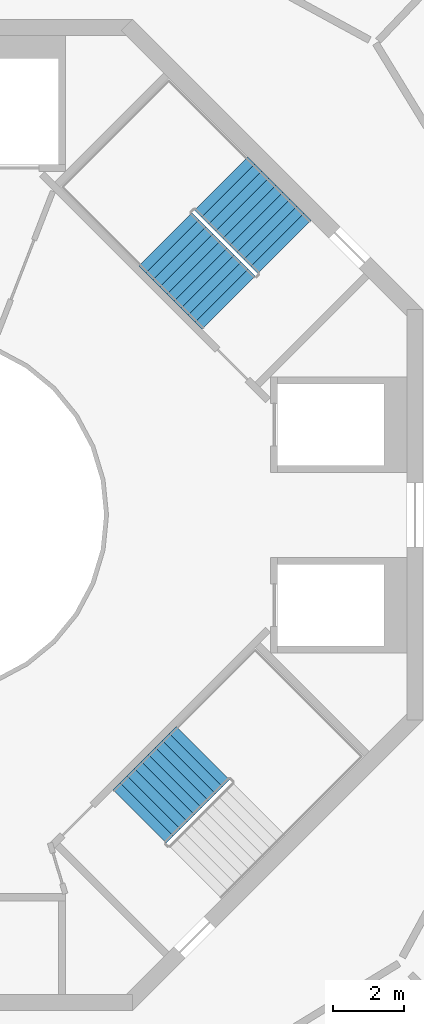
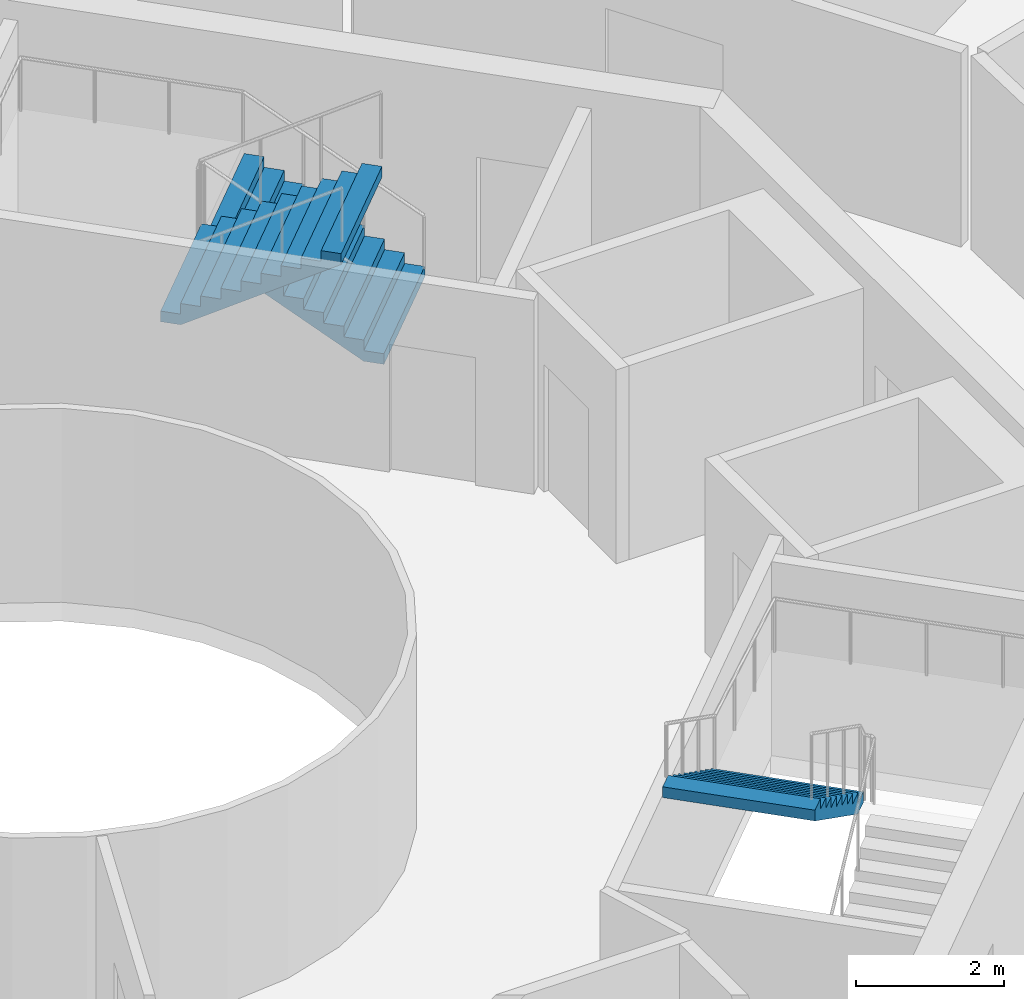
# One storey, part 25 of 26: 3 stair flights, 2 elements without a shape of their own.
"""IFC4 building model written with IfcOpenShell, lengths in metres."""

from ifc_helpers import new_model, si_unit, direction, frame, origin, place, context, subcontext, project, spatial, triangles, material, type_object, element, aggregate, save


model = new_model("IFC4")

# Units and contexts
model_context = context("Model", 3, precision=1e-05, world=origin(), true_north=direction((0.0, 1.0)))
body_context = subcontext(model_context, "Body", "Model", "MODEL_VIEW")
ifc_project = project(units=[si_unit("LENGTHUNIT", "METRE"), si_unit("AREAUNIT", "SQUARE_METRE"), si_unit("VOLUMEUNIT", "CUBIC_METRE"), si_unit("PLANEANGLEUNIT", "RADIAN"), si_unit("MASSUNIT", "GRAM", prefix="KILO")], contexts=[model_context])

# Site, building, storey
site_placement = place(None, origin())
site = spatial("IfcSite", under=ifc_project, at=site_placement, CompositionType="ELEMENT")
building_placement = place(site_placement, origin())
building = spatial("IfcBuilding", under=site, at=building_placement, Name="Verdalira Terraces Hotel", CompositionType="ELEMENT")
storey_placement = place(building_placement, frame((0.0, 0.0, 284.5)))
storey = spatial("IfcBuildingStorey", under=building, at=storey_placement, Name="L70", CompositionType="ELEMENT", Elevation=284.5)

# Stair, stair flights
ifc_material_1 = material(Name="Concrete C40", Category="concrete")
stair_type = type_object("IfcStairType", Name="Core stair 20 risers 2125 mm wide", PredefinedType="HALF_TURN_STAIR", material=ifc_material_1)
stair_1_placement = place(storey_placement, origin())
stair_1 = element("IfcStair", 1, at=stair_1_placement, inside=storey, type_object=stair_type, Name="L70 Exit stair ST1", PredefinedType="HALF_TURN_STAIR")
ifc_material_2 = material(Name="Concrete C40", Category="concrete")
stair_flight_type = type_object("IfcStairFlightType", Name="Core stair flight 20 risers 2125 mm wide", PredefinedType="STRAIGHT", material=ifc_material_2)
stair_flight_1_placement = place(storey_placement, frame((10.085205, 7.574951, 0.0), z_axis=(0.0, 0.0, 1.0), x_axis=(-0.707106781, 0.707106781, 0.0)))
stair_flight_1 = element("IfcStairFlight", 2, at=stair_flight_1_placement, type_object=stair_flight_type, Name="ST1 flight 1", NumberOfRisers=10, NumberOfTreads=9, PredefinedType="STRAIGHT", RiserHeight=0.175, TreadLength=0.28, context=body_context, shape_type="Tessellation", body=[
    triangles([(0.0, 1.0625, 0.0), (0.282715, 1.0625, 0.0), (2.52002, 1.0625, 1.398193), (0.0, -1.0625, 0.0), (0.282715, -1.0625, 0.0), (2.52002, -1.0625, 1.398193), (2.52002, 1.0625, 1.574951), (2.23999, 1.0625, 1.574951), (2.52002, -1.0625, 1.574951), (2.23999, -1.0625, 1.574951), (2.23999, 1.0625, 1.399902), (2.23999, -1.0625, 1.399902), (1.959961, 1.0625, 1.399902), (1.959961, -1.0625, 1.399902), (1.959961, 1.0625, 1.225098), (1.959961, -1.0625, 1.225098), (1.679932, 1.0625, 1.225098), (1.679932, 1.0625, 1.050049), (1.679932, -1.0625, 1.225098), (1.679932, -1.0625, 1.050049), (1.399902, 1.0625, 1.050049), (1.399902, 1.0625, 0.875), (1.399902, -1.0625, 1.050049), (1.399902, -1.0625, 0.875), (1.120117, 1.0625, 0.875), (1.120117, 1.0625, 0.699951), (1.120117, -1.0625, 0.875), (1.120117, -1.0625, 0.699951), (0.840088, 1.0625, 0.699951), (0.840088, 1.0625, 0.524902), (0.840088, -1.0625, 0.699951), (0.840088, -1.0625, 0.524902), (0.560059, 1.0625, 0.524902), (0.560059, 1.0625, 0.350098), (0.560059, -1.0625, 0.524902), (0.560059, -1.0625, 0.350098), (0.280029, 1.0625, 0.350098), (0.280029, 1.0625, 0.175049), (0.280029, -1.0625, 0.350098), (0.280029, -1.0625, 0.175049), (0.0, 1.0625, 0.175049), (0.0, -1.0625, 0.175049), (0.0, -0.996094, 0.0), (0.0, -0.996094, 0.175049), (0.0, -0.929688, 0.0), (0.0, -0.929688, 0.175049), (0.0, -0.863281, 0.0), (0.0, -0.863281, 0.175049), (0.0, -0.796875, 0.0), (0.0, -0.796875, 0.175049), (0.0, -0.730469, 0.0), (0.0, -0.730469, 0.175049), (0.0, -0.664062, 0.0), (0.0, -0.664062, 0.175049), (0.0, -0.597656, 0.0), (0.0, -0.597656, 0.175049), (0.0, -0.53125, 0.0), (0.0, -0.53125, 0.175049), (0.0, -0.464844, 0.0), (0.0, -0.464844, 0.175049), (0.0, -0.398438, 0.0), (0.0, -0.398438, 0.175049), (0.0, -0.332031, 0.0), (0.0, -0.332031, 0.175049), (0.0, -0.265625, 0.0), (0.0, -0.265625, 0.175049), (0.0, -0.199219, 0.0), (0.0, -0.199219, 0.175049), (0.0, -0.132812, 0.0), (0.0, -0.132812, 0.175049), (0.0, -0.066406, 0.0), (0.0, -0.066406, 0.175049), (0.0, 0.0, 0.0), (0.0, 0.0, 0.175049), (0.0, 0.066406, 0.0), (0.0, 0.066406, 0.175049), (0.0, 0.132812, 0.0), (0.0, 0.132812, 0.175049), (0.0, 0.199219, 0.0), (0.0, 0.199219, 0.175049), (0.0, 0.265625, 0.0), (0.0, 0.265625, 0.175049), (0.0, 0.332031, 0.0), (0.0, 0.332031, 0.175049), (0.0, 0.398438, 0.0), (0.0, 0.398438, 0.175049), (0.0, 0.464844, 0.0), (0.0, 0.464844, 0.175049), (0.0, 0.53125, 0.0), (0.0, 0.53125, 0.175049), (0.0, 0.597656, 0.0), (0.0, 0.597656, 0.175049), (0.0, 0.664062, 0.0), (0.0, 0.664062, 0.175049), (0.0, 0.730469, 0.0), (0.0, 0.730469, 0.175049), (0.0, 0.796875, 0.0), (0.0, 0.796875, 0.175049), (0.0, 0.863281, 0.0), (0.0, 0.863281, 0.175049), (0.0, 0.929688, 0.0), (0.0, 0.929688, 0.175049), (0.0, 0.996094, 0.0), (0.0, 0.996094, 0.175049), (2.52002, -0.996094, 1.574951), (2.52002, -0.929688, 1.574951), (2.52002, -0.863281, 1.574951), (2.52002, -0.796875, 1.574951), (2.52002, -0.730469, 1.574951), (2.52002, -0.664062, 1.574951), (2.52002, -0.597656, 1.574951), (2.52002, -0.53125, 1.574951), (2.52002, -0.464844, 1.574951), (2.52002, -0.398438, 1.574951), (2.52002, -0.332031, 1.574951), (2.52002, -0.265625, 1.574951), (2.52002, -0.199219, 1.574951), (2.52002, -0.132812, 1.574951), (2.52002, -0.066406, 1.574951), (2.52002, 0.0, 1.574951), (2.52002, 0.066406, 1.574951), (2.52002, 0.132812, 1.574951), (2.52002, 0.199219, 1.574951), (2.52002, 0.265625, 1.574951), (2.52002, 0.332031, 1.574951), (2.52002, 0.398438, 1.574951), (2.52002, 0.464844, 1.574951), (2.52002, 0.53125, 1.574951), (2.52002, 0.597656, 1.574951), (2.52002, 0.664062, 1.574951), (2.52002, 0.730469, 1.574951), (2.52002, 0.796875, 1.574951), (2.52002, 0.863281, 1.574951), (2.52002, 0.929688, 1.574951), (2.52002, 0.996094, 1.574951), (2.52002, -0.996094, 1.398193), (2.52002, -0.929688, 1.398193), (2.52002, -0.863281, 1.398193), (2.52002, -0.796875, 1.398193), (2.52002, -0.730469, 1.398193), (2.52002, -0.664062, 1.398193), (2.52002, -0.597656, 1.398193), (2.52002, -0.53125, 1.398193), (2.52002, -0.464844, 1.398193), (2.52002, -0.398438, 1.398193), (2.52002, -0.332031, 1.398193), (2.52002, -0.265625, 1.398193), (2.52002, -0.199219, 1.398193), (2.52002, -0.132812, 1.398193), (2.52002, -0.066406, 1.398193), (2.52002, 0.0, 1.398193), (2.52002, 0.066406, 1.398193), (2.52002, 0.132812, 1.398193), (2.52002, 0.199219, 1.398193), (2.52002, 0.265625, 1.398193), (2.52002, 0.332031, 1.398193), (2.52002, 0.398438, 1.398193), (2.52002, 0.464844, 1.398193), (2.52002, 0.53125, 1.398193), (2.52002, 0.597656, 1.398193), (2.52002, 0.664062, 1.398193), (2.52002, 0.730469, 1.398193), (2.52002, 0.796875, 1.398193), (2.52002, 0.863281, 1.398193), (2.52002, 0.929688, 1.398193), (2.52002, 0.996094, 1.398193)], [[1, 3, 2], [4, 5, 6], [3, 8, 7], [6, 9, 10], [3, 11, 8], [6, 10, 12], [3, 13, 11], [6, 12, 14], [3, 15, 13], [6, 14, 16], [15, 18, 17], [16, 19, 20], [3, 18, 15], [6, 16, 20], [18, 22, 21], [20, 23, 24], [3, 22, 18], [6, 20, 24], [22, 26, 25], [24, 27, 28], [3, 26, 22], [6, 24, 28], [26, 30, 29], [28, 31, 32], [3, 30, 26], [6, 28, 32], [1, 30, 3], [4, 6, 32], [30, 34, 33], [32, 35, 36], [34, 38, 37], [36, 39, 40], [30, 38, 34], [32, 36, 40], [1, 38, 30], [4, 32, 40], [38, 1, 41], [40, 42, 4], [4, 44, 43], [4, 42, 44], [43, 46, 45], [43, 44, 46], [45, 48, 47], [45, 46, 48], [47, 50, 49], [47, 48, 50], [49, 52, 51], [49, 50, 52], [51, 54, 53], [51, 52, 54], [53, 56, 55], [53, 54, 56], [55, 58, 57], [55, 56, 58], [57, 60, 59], [57, 58, 60], [59, 62, 61], [59, 60, 62], [61, 64, 63], [61, 62, 64], [63, 66, 65], [63, 64, 66], [65, 68, 67], [65, 66, 68], [67, 70, 69], [67, 68, 70], [69, 72, 71], [69, 70, 72], [71, 74, 73], [71, 72, 74], [73, 76, 75], [73, 74, 76], [75, 78, 77], [75, 76, 78], [77, 80, 79], [77, 78, 80], [79, 82, 81], [79, 80, 82], [81, 84, 83], [81, 82, 84], [83, 86, 85], [83, 84, 86], [85, 88, 87], [85, 86, 88], [87, 90, 89], [87, 88, 90], [89, 92, 91], [89, 90, 92], [91, 94, 93], [91, 92, 94], [93, 96, 95], [93, 94, 96], [95, 98, 97], [95, 96, 98], [97, 100, 99], [97, 98, 100], [99, 102, 101], [99, 100, 102], [101, 104, 103], [101, 102, 104], [103, 41, 1], [103, 104, 41], [42, 40, 44], [44, 40, 46], [46, 40, 48], [48, 40, 50], [50, 40, 52], [52, 40, 54], [54, 40, 56], [56, 40, 58], [58, 40, 60], [60, 40, 62], [62, 40, 64], [64, 40, 66], [66, 40, 68], [68, 40, 70], [70, 40, 72], [72, 40, 74], [74, 40, 76], [76, 40, 78], [78, 40, 80], [80, 40, 82], [82, 40, 84], [84, 40, 86], [86, 40, 88], [88, 40, 90], [90, 40, 92], [92, 40, 94], [94, 40, 96], [96, 40, 98], [98, 40, 100], [100, 40, 102], [102, 40, 104], [104, 40, 41], [41, 40, 38], [40, 37, 38], [40, 39, 37], [39, 34, 37], [39, 36, 34], [36, 33, 34], [36, 35, 33], [35, 30, 33], [35, 32, 30], [32, 29, 30], [32, 31, 29], [31, 26, 29], [31, 28, 26], [28, 25, 26], [28, 27, 25], [27, 22, 25], [27, 24, 22], [24, 21, 22], [24, 23, 21], [23, 18, 21], [23, 20, 18], [20, 17, 18], [20, 19, 17], [19, 15, 17], [19, 16, 15], [16, 13, 15], [16, 14, 13], [14, 11, 13], [14, 12, 11], [12, 8, 11], [12, 10, 8], [9, 105, 10], [105, 106, 10], [106, 107, 10], [107, 108, 10], [108, 109, 10], [109, 110, 10], [110, 111, 10], [111, 112, 10], [112, 113, 10], [113, 114, 10], [114, 115, 10], [115, 116, 10], [116, 117, 10], [117, 118, 10], [118, 119, 10], [119, 120, 10], [120, 121, 10], [121, 122, 10], [122, 123, 10], [123, 124, 10], [124, 125, 10], [125, 126, 10], [126, 127, 10], [127, 128, 10], [128, 129, 10], [129, 130, 10], [130, 131, 10], [131, 132, 10], [132, 133, 10], [133, 134, 10], [134, 135, 10], [135, 7, 10], [7, 8, 10], [9, 136, 105], [9, 6, 136], [105, 137, 106], [105, 136, 137], [106, 138, 107], [106, 137, 138], [107, 139, 108], [107, 138, 139], [108, 140, 109], [108, 139, 140], [109, 141, 110], [109, 140, 141], [110, 142, 111], [110, 141, 142], [111, 143, 112], [111, 142, 143], [112, 144, 113], [112, 143, 144], [113, 145, 114], [113, 144, 145], [114, 146, 115], [114, 145, 146], [115, 147, 116], [115, 146, 147], [116, 148, 117], [116, 147, 148], [117, 149, 118], [117, 148, 149], [118, 150, 119], [118, 149, 150], [119, 151, 120], [119, 150, 151], [120, 152, 121], [120, 151, 152], [121, 153, 122], [121, 152, 153], [122, 154, 123], [122, 153, 154], [123, 155, 124], [123, 154, 155], [124, 156, 125], [124, 155, 156], [125, 157, 126], [125, 156, 157], [126, 158, 127], [126, 157, 158], [127, 159, 128], [127, 158, 159], [128, 160, 129], [128, 159, 160], [129, 161, 130], [129, 160, 161], [130, 162, 131], [130, 161, 162], [131, 163, 132], [131, 162, 163], [132, 164, 133], [132, 163, 164], [133, 165, 134], [133, 164, 165], [134, 166, 135], [134, 165, 166], [135, 3, 7], [135, 166, 3], [6, 5, 136], [136, 5, 137], [137, 5, 138], [138, 5, 139], [139, 5, 140], [140, 5, 141], [141, 5, 142], [142, 5, 143], [143, 5, 144], [144, 5, 145], [145, 5, 146], [146, 5, 147], [147, 5, 148], [148, 5, 149], [149, 5, 150], [150, 5, 151], [151, 5, 152], [152, 5, 153], [153, 5, 154], [154, 5, 155], [155, 5, 156], [156, 5, 157], [157, 5, 158], [158, 5, 159], [159, 5, 160], [160, 5, 161], [161, 5, 162], [162, 5, 163], [163, 5, 164], [164, 5, 165], [165, 5, 166], [166, 5, 3], [3, 5, 2], [4, 43, 5], [43, 45, 5], [45, 47, 5], [47, 49, 5], [49, 51, 5], [51, 53, 5], [53, 55, 5], [55, 57, 5], [57, 59, 5], [59, 61, 5], [61, 63, 5], [63, 65, 5], [65, 67, 5], [67, 69, 5], [69, 71, 5], [71, 73, 5], [73, 75, 5], [75, 77, 5], [77, 79, 5], [79, 81, 5], [81, 83, 5], [83, 85, 5], [85, 87, 5], [87, 89, 5], [89, 91, 5], [91, 93, 5], [93, 95, 5], [95, 97, 5], [97, 99, 5], [99, 101, 5], [101, 103, 5], [103, 1, 5], [1, 2, 5]], closed=True),
])
stair_flight_2_placement = place(storey_placement, frame((6.72998, 7.783447, 1.75), z_axis=(0.0, 0.0, 1.0), x_axis=(0.707106781, -0.707106781, 0.0)))
stair_flight_2 = element("IfcStairFlight", 3, at=stair_flight_2_placement, type_object=stair_flight_type, Name="ST1 flight 2", NumberOfRisers=10, NumberOfTreads=9, PredefinedType="STRAIGHT", RiserHeight=0.175, TreadLength=0.28, context=body_context, shape_type="Tessellation", body=[
    triangles([(0.0, 1.0625, 0.0), (0.282715, 1.0625, 0.0), (2.52002, 1.0625, 1.398193), (0.0, -1.0625, 0.0), (0.282715, -1.0625, 0.0), (2.52002, -1.0625, 1.398193), (2.52002, 1.0625, 1.574951), (2.23999, 1.0625, 1.574951), (2.52002, -1.0625, 1.574951), (2.23999, -1.0625, 1.574951), (2.23999, 1.0625, 1.399902), (2.23999, -1.0625, 1.399902), (1.959961, 1.0625, 1.399902), (1.959961, -1.0625, 1.399902), (1.959961, 1.0625, 1.225098), (1.959961, -1.0625, 1.225098), (1.679932, 1.0625, 1.225098), (1.679932, 1.0625, 1.050049), (1.679932, -1.0625, 1.225098), (1.679932, -1.0625, 1.050049), (1.399902, 1.0625, 1.050049), (1.399902, 1.0625, 0.875), (1.399902, -1.0625, 1.050049), (1.399902, -1.0625, 0.875), (1.120117, 1.0625, 0.875), (1.120117, 1.0625, 0.699951), (1.120117, -1.0625, 0.875), (1.120117, -1.0625, 0.699951), (0.840088, 1.0625, 0.699951), (0.840088, 1.0625, 0.524902), (0.840088, -1.0625, 0.699951), (0.840088, -1.0625, 0.524902), (0.560059, 1.0625, 0.524902), (0.560059, 1.0625, 0.350098), (0.560059, -1.0625, 0.524902), (0.560059, -1.0625, 0.350098), (0.280029, 1.0625, 0.350098), (0.280029, 1.0625, 0.175049), (0.280029, -1.0625, 0.350098), (0.280029, -1.0625, 0.175049), (0.0, 1.0625, 0.175049), (0.0, -1.0625, 0.175049), (0.0, -0.996094, 0.0), (0.0, -0.996094, 0.175049), (0.0, -0.929688, 0.0), (0.0, -0.929688, 0.175049), (0.0, -0.863281, 0.0), (0.0, -0.863281, 0.175049), (0.0, -0.796875, 0.0), (0.0, -0.796875, 0.175049), (0.0, -0.730469, 0.0), (0.0, -0.730469, 0.175049), (0.0, -0.664062, 0.0), (0.0, -0.664062, 0.175049), (0.0, -0.597656, 0.0), (0.0, -0.597656, 0.175049), (0.0, -0.53125, 0.0), (0.0, -0.53125, 0.175049), (0.0, -0.464844, 0.0), (0.0, -0.464844, 0.175049), (0.0, -0.398438, 0.0), (0.0, -0.398438, 0.175049), (0.0, -0.332031, 0.0), (0.0, -0.332031, 0.175049), (0.0, -0.265625, 0.0), (0.0, -0.265625, 0.175049), (0.0, -0.199219, 0.0), (0.0, -0.199219, 0.175049), (0.0, -0.132812, 0.0), (0.0, -0.132812, 0.175049), (0.0, -0.066406, 0.0), (0.0, -0.066406, 0.175049), (0.0, 0.0, 0.0), (0.0, 0.0, 0.175049), (0.0, 0.066406, 0.0), (0.0, 0.066406, 0.175049), (0.0, 0.132812, 0.0), (0.0, 0.132812, 0.175049), (0.0, 0.199219, 0.0), (0.0, 0.199219, 0.175049), (0.0, 0.265625, 0.0), (0.0, 0.265625, 0.175049), (0.0, 0.332031, 0.0), (0.0, 0.332031, 0.175049), (0.0, 0.398438, 0.0), (0.0, 0.398438, 0.175049), (0.0, 0.464844, 0.0), (0.0, 0.464844, 0.175049), (0.0, 0.53125, 0.0), (0.0, 0.53125, 0.175049), (0.0, 0.597656, 0.0), (0.0, 0.597656, 0.175049), (0.0, 0.664062, 0.0), (0.0, 0.664062, 0.175049), (0.0, 0.730469, 0.0), (0.0, 0.730469, 0.175049), (0.0, 0.796875, 0.0), (0.0, 0.796875, 0.175049), (0.0, 0.863281, 0.0), (0.0, 0.863281, 0.175049), (0.0, 0.929688, 0.0), (0.0, 0.929688, 0.175049), (0.0, 0.996094, 0.0), (0.0, 0.996094, 0.175049), (2.52002, -0.996094, 1.574951), (2.52002, -0.929688, 1.574951), (2.52002, -0.863281, 1.574951), (2.52002, -0.796875, 1.574951), (2.52002, -0.730469, 1.574951), (2.52002, -0.664062, 1.574951), (2.52002, -0.597656, 1.574951), (2.52002, -0.53125, 1.574951), (2.52002, -0.464844, 1.574951), (2.52002, -0.398438, 1.574951), (2.52002, -0.332031, 1.574951), (2.52002, -0.265625, 1.574951), (2.52002, -0.199219, 1.574951), (2.52002, -0.132812, 1.574951), (2.52002, -0.066406, 1.574951), (2.52002, 0.0, 1.574951), (2.52002, 0.066406, 1.574951), (2.52002, 0.132812, 1.574951), (2.52002, 0.199219, 1.574951), (2.52002, 0.265625, 1.574951), (2.52002, 0.332031, 1.574951), (2.52002, 0.398438, 1.574951), (2.52002, 0.464844, 1.574951), (2.52002, 0.53125, 1.574951), (2.52002, 0.597656, 1.574951), (2.52002, 0.664062, 1.574951), (2.52002, 0.730469, 1.574951), (2.52002, 0.796875, 1.574951), (2.52002, 0.863281, 1.574951), (2.52002, 0.929688, 1.574951), (2.52002, 0.996094, 1.574951), (2.52002, -0.996094, 1.398193), (2.52002, -0.929688, 1.398193), (2.52002, -0.863281, 1.398193), (2.52002, -0.796875, 1.398193), (2.52002, -0.730469, 1.398193), (2.52002, -0.664062, 1.398193), (2.52002, -0.597656, 1.398193), (2.52002, -0.53125, 1.398193), (2.52002, -0.464844, 1.398193), (2.52002, -0.398438, 1.398193), (2.52002, -0.332031, 1.398193), (2.52002, -0.265625, 1.398193), (2.52002, -0.199219, 1.398193), (2.52002, -0.132812, 1.398193), (2.52002, -0.066406, 1.398193), (2.52002, 0.0, 1.398193), (2.52002, 0.066406, 1.398193), (2.52002, 0.132812, 1.398193), (2.52002, 0.199219, 1.398193), (2.52002, 0.265625, 1.398193), (2.52002, 0.332031, 1.398193), (2.52002, 0.398438, 1.398193), (2.52002, 0.464844, 1.398193), (2.52002, 0.53125, 1.398193), (2.52002, 0.597656, 1.398193), (2.52002, 0.664062, 1.398193), (2.52002, 0.730469, 1.398193), (2.52002, 0.796875, 1.398193), (2.52002, 0.863281, 1.398193), (2.52002, 0.929688, 1.398193), (2.52002, 0.996094, 1.398193)], [[1, 3, 2], [4, 5, 6], [3, 8, 7], [6, 9, 10], [3, 11, 8], [6, 10, 12], [3, 13, 11], [6, 12, 14], [3, 15, 13], [6, 14, 16], [15, 18, 17], [16, 19, 20], [3, 18, 15], [6, 16, 20], [18, 22, 21], [20, 23, 24], [3, 22, 18], [6, 20, 24], [22, 26, 25], [24, 27, 28], [3, 26, 22], [6, 24, 28], [26, 30, 29], [28, 31, 32], [3, 30, 26], [6, 28, 32], [1, 30, 3], [4, 6, 32], [30, 34, 33], [32, 35, 36], [34, 38, 37], [36, 39, 40], [30, 38, 34], [32, 36, 40], [1, 38, 30], [4, 32, 40], [38, 1, 41], [40, 42, 4], [4, 44, 43], [4, 42, 44], [43, 46, 45], [43, 44, 46], [45, 48, 47], [45, 46, 48], [47, 50, 49], [47, 48, 50], [49, 52, 51], [49, 50, 52], [51, 54, 53], [51, 52, 54], [53, 56, 55], [53, 54, 56], [55, 58, 57], [55, 56, 58], [57, 60, 59], [57, 58, 60], [59, 62, 61], [59, 60, 62], [61, 64, 63], [61, 62, 64], [63, 66, 65], [63, 64, 66], [65, 68, 67], [65, 66, 68], [67, 70, 69], [67, 68, 70], [69, 72, 71], [69, 70, 72], [71, 74, 73], [71, 72, 74], [73, 76, 75], [73, 74, 76], [75, 78, 77], [75, 76, 78], [77, 80, 79], [77, 78, 80], [79, 82, 81], [79, 80, 82], [81, 84, 83], [81, 82, 84], [83, 86, 85], [83, 84, 86], [85, 88, 87], [85, 86, 88], [87, 90, 89], [87, 88, 90], [89, 92, 91], [89, 90, 92], [91, 94, 93], [91, 92, 94], [93, 96, 95], [93, 94, 96], [95, 98, 97], [95, 96, 98], [97, 100, 99], [97, 98, 100], [99, 102, 101], [99, 100, 102], [101, 104, 103], [101, 102, 104], [103, 41, 1], [103, 104, 41], [42, 40, 44], [44, 40, 46], [46, 40, 48], [48, 40, 50], [50, 40, 52], [52, 40, 54], [54, 40, 56], [56, 40, 58], [58, 40, 60], [60, 40, 62], [62, 40, 64], [64, 40, 66], [66, 40, 68], [68, 40, 70], [70, 40, 72], [72, 40, 74], [74, 40, 76], [76, 40, 78], [78, 40, 80], [80, 40, 82], [82, 40, 84], [84, 40, 86], [86, 40, 88], [88, 40, 90], [90, 40, 92], [92, 40, 94], [94, 40, 96], [96, 40, 98], [98, 40, 100], [100, 40, 102], [102, 40, 104], [104, 40, 41], [41, 40, 38], [40, 37, 38], [40, 39, 37], [39, 34, 37], [39, 36, 34], [36, 33, 34], [36, 35, 33], [35, 30, 33], [35, 32, 30], [32, 29, 30], [32, 31, 29], [31, 26, 29], [31, 28, 26], [28, 25, 26], [28, 27, 25], [27, 22, 25], [27, 24, 22], [24, 21, 22], [24, 23, 21], [23, 18, 21], [23, 20, 18], [20, 17, 18], [20, 19, 17], [19, 15, 17], [19, 16, 15], [16, 13, 15], [16, 14, 13], [14, 11, 13], [14, 12, 11], [12, 8, 11], [12, 10, 8], [9, 105, 10], [105, 106, 10], [106, 107, 10], [107, 108, 10], [108, 109, 10], [109, 110, 10], [110, 111, 10], [111, 112, 10], [112, 113, 10], [113, 114, 10], [114, 115, 10], [115, 116, 10], [116, 117, 10], [117, 118, 10], [118, 119, 10], [119, 120, 10], [120, 121, 10], [121, 122, 10], [122, 123, 10], [123, 124, 10], [124, 125, 10], [125, 126, 10], [126, 127, 10], [127, 128, 10], [128, 129, 10], [129, 130, 10], [130, 131, 10], [131, 132, 10], [132, 133, 10], [133, 134, 10], [134, 135, 10], [135, 7, 10], [7, 8, 10], [9, 136, 105], [9, 6, 136], [105, 137, 106], [105, 136, 137], [106, 138, 107], [106, 137, 138], [107, 139, 108], [107, 138, 139], [108, 140, 109], [108, 139, 140], [109, 141, 110], [109, 140, 141], [110, 142, 111], [110, 141, 142], [111, 143, 112], [111, 142, 143], [112, 144, 113], [112, 143, 144], [113, 145, 114], [113, 144, 145], [114, 146, 115], [114, 145, 146], [115, 147, 116], [115, 146, 147], [116, 148, 117], [116, 147, 148], [117, 149, 118], [117, 148, 149], [118, 150, 119], [118, 149, 150], [119, 151, 120], [119, 150, 151], [120, 152, 121], [120, 151, 152], [121, 153, 122], [121, 152, 153], [122, 154, 123], [122, 153, 154], [123, 155, 124], [123, 154, 155], [124, 156, 125], [124, 155, 156], [125, 157, 126], [125, 156, 157], [126, 158, 127], [126, 157, 158], [127, 159, 128], [127, 158, 159], [128, 160, 129], [128, 159, 160], [129, 161, 130], [129, 160, 161], [130, 162, 131], [130, 161, 162], [131, 163, 132], [131, 162, 163], [132, 164, 133], [132, 163, 164], [133, 165, 134], [133, 164, 165], [134, 166, 135], [134, 165, 166], [135, 3, 7], [135, 166, 3], [6, 5, 136], [136, 5, 137], [137, 5, 138], [138, 5, 139], [139, 5, 140], [140, 5, 141], [141, 5, 142], [142, 5, 143], [143, 5, 144], [144, 5, 145], [145, 5, 146], [146, 5, 147], [147, 5, 148], [148, 5, 149], [149, 5, 150], [150, 5, 151], [151, 5, 152], [152, 5, 153], [153, 5, 154], [154, 5, 155], [155, 5, 156], [156, 5, 157], [157, 5, 158], [158, 5, 159], [159, 5, 160], [160, 5, 161], [161, 5, 162], [162, 5, 163], [163, 5, 164], [164, 5, 165], [165, 5, 166], [166, 5, 3], [3, 5, 2], [4, 43, 5], [43, 45, 5], [45, 47, 5], [47, 49, 5], [49, 51, 5], [51, 53, 5], [53, 55, 5], [55, 57, 5], [57, 59, 5], [59, 61, 5], [61, 63, 5], [63, 65, 5], [65, 67, 5], [67, 69, 5], [69, 71, 5], [71, 73, 5], [73, 75, 5], [75, 77, 5], [77, 79, 5], [79, 81, 5], [81, 83, 5], [83, 85, 5], [85, 87, 5], [87, 89, 5], [89, 91, 5], [91, 93, 5], [93, 95, 5], [95, 97, 5], [97, 99, 5], [99, 101, 5], [101, 103, 5], [103, 1, 5], [1, 2, 5]], closed=True),
])
aggregate(stair_1, [stair_flight_1, stair_flight_2])

# Stair, stair flight
stair_2_placement = place(storey_placement, origin())
stair_2 = element("IfcStair", 4, at=stair_2_placement, inside=storey, type_object=stair_type, Name="L70 Exit stair ST3", PredefinedType="HALF_TURN_STAIR")
stair_flight_3_placement = place(storey_placement, frame((7.783447, -6.72998, 1.75), z_axis=(0.0, 0.0, 1.0), x_axis=(-0.707106781, -0.707106781, 0.0)))
stair_flight_3 = element("IfcStairFlight", 5, at=stair_flight_3_placement, type_object=stair_flight_type, Name="ST3 flight 2", NumberOfRisers=10, NumberOfTreads=9, PredefinedType="STRAIGHT", RiserHeight=0.175, TreadLength=0.28, context=body_context, shape_type="Tessellation", body=[
    triangles([(0.0, 1.0625, 0.0), (0.282715, 1.0625, 0.0), (2.52002, 1.0625, 1.398193), (0.0, -1.0625, 0.0), (0.282715, -1.0625, 0.0), (2.52002, -1.0625, 1.398193), (2.52002, 1.0625, 1.574951), (2.23999, 1.0625, 1.574951), (2.52002, -1.0625, 1.574951), (2.23999, -1.0625, 1.574951), (2.23999, 1.0625, 1.399902), (2.23999, -1.0625, 1.399902), (1.959961, 1.0625, 1.399902), (1.959961, -1.0625, 1.399902), (1.959961, 1.0625, 1.225098), (1.959961, -1.0625, 1.225098), (1.679932, 1.0625, 1.225098), (1.679932, 1.0625, 1.050049), (1.679932, -1.0625, 1.225098), (1.679932, -1.0625, 1.050049), (1.399902, 1.0625, 1.050049), (1.399902, 1.0625, 0.875), (1.399902, -1.0625, 1.050049), (1.399902, -1.0625, 0.875), (1.120117, 1.0625, 0.875), (1.120117, 1.0625, 0.699951), (1.120117, -1.0625, 0.875), (1.120117, -1.0625, 0.699951), (0.840088, 1.0625, 0.699951), (0.840088, 1.0625, 0.524902), (0.840088, -1.0625, 0.699951), (0.840088, -1.0625, 0.524902), (0.560059, 1.0625, 0.524902), (0.560059, 1.0625, 0.350098), (0.560059, -1.0625, 0.524902), (0.560059, -1.0625, 0.350098), (0.280029, 1.0625, 0.350098), (0.280029, 1.0625, 0.175049), (0.280029, -1.0625, 0.350098), (0.280029, -1.0625, 0.175049), (0.0, 1.0625, 0.175049), (0.0, -1.0625, 0.175049), (0.0, -0.996094, 0.0), (0.0, -0.996094, 0.175049), (0.0, -0.929688, 0.0), (0.0, -0.929688, 0.175049), (0.0, -0.863281, 0.0), (0.0, -0.863281, 0.175049), (0.0, -0.796875, 0.0), (0.0, -0.796875, 0.175049), (0.0, -0.730469, 0.0), (0.0, -0.730469, 0.175049), (0.0, -0.664062, 0.0), (0.0, -0.664062, 0.175049), (0.0, -0.597656, 0.0), (0.0, -0.597656, 0.175049), (0.0, -0.53125, 0.0), (0.0, -0.53125, 0.175049), (0.0, -0.464844, 0.0), (0.0, -0.464844, 0.175049), (0.0, -0.398438, 0.0), (0.0, -0.398438, 0.175049), (0.0, -0.332031, 0.0), (0.0, -0.332031, 0.175049), (0.0, -0.265625, 0.0), (0.0, -0.265625, 0.175049), (0.0, -0.199219, 0.0), (0.0, -0.199219, 0.175049), (0.0, -0.132812, 0.0), (0.0, -0.132812, 0.175049), (0.0, -0.066406, 0.0), (0.0, -0.066406, 0.175049), (0.0, 0.0, 0.0), (0.0, 0.0, 0.175049), (0.0, 0.066406, 0.0), (0.0, 0.066406, 0.175049), (0.0, 0.132812, 0.0), (0.0, 0.132812, 0.175049), (0.0, 0.199219, 0.0), (0.0, 0.199219, 0.175049), (0.0, 0.265625, 0.0), (0.0, 0.265625, 0.175049), (0.0, 0.332031, 0.0), (0.0, 0.332031, 0.175049), (0.0, 0.398438, 0.0), (0.0, 0.398438, 0.175049), (0.0, 0.464844, 0.0), (0.0, 0.464844, 0.175049), (0.0, 0.53125, 0.0), (0.0, 0.53125, 0.175049), (0.0, 0.597656, 0.0), (0.0, 0.597656, 0.175049), (0.0, 0.664062, 0.0), (0.0, 0.664062, 0.175049), (0.0, 0.730469, 0.0), (0.0, 0.730469, 0.175049), (0.0, 0.796875, 0.0), (0.0, 0.796875, 0.175049), (0.0, 0.863281, 0.0), (0.0, 0.863281, 0.175049), (0.0, 0.929688, 0.0), (0.0, 0.929688, 0.175049), (0.0, 0.996094, 0.0), (0.0, 0.996094, 0.175049), (2.52002, -0.996094, 1.574951), (2.52002, -0.929688, 1.574951), (2.52002, -0.863281, 1.574951), (2.52002, -0.796875, 1.574951), (2.52002, -0.730469, 1.574951), (2.52002, -0.664062, 1.574951), (2.52002, -0.597656, 1.574951), (2.52002, -0.53125, 1.574951), (2.52002, -0.464844, 1.574951), (2.52002, -0.398438, 1.574951), (2.52002, -0.332031, 1.574951), (2.52002, -0.265625, 1.574951), (2.52002, -0.199219, 1.574951), (2.52002, -0.132812, 1.574951), (2.52002, -0.066406, 1.574951), (2.52002, 0.0, 1.574951), (2.52002, 0.066406, 1.574951), (2.52002, 0.132812, 1.574951), (2.52002, 0.199219, 1.574951), (2.52002, 0.265625, 1.574951), (2.52002, 0.332031, 1.574951), (2.52002, 0.398438, 1.574951), (2.52002, 0.464844, 1.574951), (2.52002, 0.53125, 1.574951), (2.52002, 0.597656, 1.574951), (2.52002, 0.664062, 1.574951), (2.52002, 0.730469, 1.574951), (2.52002, 0.796875, 1.574951), (2.52002, 0.863281, 1.574951), (2.52002, 0.929688, 1.574951), (2.52002, 0.996094, 1.574951), (2.52002, -0.996094, 1.398193), (2.52002, -0.929688, 1.398193), (2.52002, -0.863281, 1.398193), (2.52002, -0.796875, 1.398193), (2.52002, -0.730469, 1.398193), (2.52002, -0.664062, 1.398193), (2.52002, -0.597656, 1.398193), (2.52002, -0.53125, 1.398193), (2.52002, -0.464844, 1.398193), (2.52002, -0.398438, 1.398193), (2.52002, -0.332031, 1.398193), (2.52002, -0.265625, 1.398193), (2.52002, -0.199219, 1.398193), (2.52002, -0.132812, 1.398193), (2.52002, -0.066406, 1.398193), (2.52002, 0.0, 1.398193), (2.52002, 0.066406, 1.398193), (2.52002, 0.132812, 1.398193), (2.52002, 0.199219, 1.398193), (2.52002, 0.265625, 1.398193), (2.52002, 0.332031, 1.398193), (2.52002, 0.398438, 1.398193), (2.52002, 0.464844, 1.398193), (2.52002, 0.53125, 1.398193), (2.52002, 0.597656, 1.398193), (2.52002, 0.664062, 1.398193), (2.52002, 0.730469, 1.398193), (2.52002, 0.796875, 1.398193), (2.52002, 0.863281, 1.398193), (2.52002, 0.929688, 1.398193), (2.52002, 0.996094, 1.398193)], [[1, 3, 2], [4, 5, 6], [3, 8, 7], [6, 9, 10], [3, 11, 8], [6, 10, 12], [3, 13, 11], [6, 12, 14], [3, 15, 13], [6, 14, 16], [15, 18, 17], [16, 19, 20], [3, 18, 15], [6, 16, 20], [18, 22, 21], [20, 23, 24], [3, 22, 18], [6, 20, 24], [22, 26, 25], [24, 27, 28], [3, 26, 22], [6, 24, 28], [26, 30, 29], [28, 31, 32], [3, 30, 26], [6, 28, 32], [1, 30, 3], [4, 6, 32], [30, 34, 33], [32, 35, 36], [34, 38, 37], [36, 39, 40], [30, 38, 34], [32, 36, 40], [1, 38, 30], [4, 32, 40], [38, 1, 41], [40, 42, 4], [4, 44, 43], [4, 42, 44], [43, 46, 45], [43, 44, 46], [45, 48, 47], [45, 46, 48], [47, 50, 49], [47, 48, 50], [49, 52, 51], [49, 50, 52], [51, 54, 53], [51, 52, 54], [53, 56, 55], [53, 54, 56], [55, 58, 57], [55, 56, 58], [57, 60, 59], [57, 58, 60], [59, 62, 61], [59, 60, 62], [61, 64, 63], [61, 62, 64], [63, 66, 65], [63, 64, 66], [65, 68, 67], [65, 66, 68], [67, 70, 69], [67, 68, 70], [69, 72, 71], [69, 70, 72], [71, 74, 73], [71, 72, 74], [73, 76, 75], [73, 74, 76], [75, 78, 77], [75, 76, 78], [77, 80, 79], [77, 78, 80], [79, 82, 81], [79, 80, 82], [81, 84, 83], [81, 82, 84], [83, 86, 85], [83, 84, 86], [85, 88, 87], [85, 86, 88], [87, 90, 89], [87, 88, 90], [89, 92, 91], [89, 90, 92], [91, 94, 93], [91, 92, 94], [93, 96, 95], [93, 94, 96], [95, 98, 97], [95, 96, 98], [97, 100, 99], [97, 98, 100], [99, 102, 101], [99, 100, 102], [101, 104, 103], [101, 102, 104], [103, 41, 1], [103, 104, 41], [42, 40, 44], [44, 40, 46], [46, 40, 48], [48, 40, 50], [50, 40, 52], [52, 40, 54], [54, 40, 56], [56, 40, 58], [58, 40, 60], [60, 40, 62], [62, 40, 64], [64, 40, 66], [66, 40, 68], [68, 40, 70], [70, 40, 72], [72, 40, 74], [74, 40, 76], [76, 40, 78], [78, 40, 80], [80, 40, 82], [82, 40, 84], [84, 40, 86], [86, 40, 88], [88, 40, 90], [90, 40, 92], [92, 40, 94], [94, 40, 96], [96, 40, 98], [98, 40, 100], [100, 40, 102], [102, 40, 104], [104, 40, 41], [41, 40, 38], [40, 37, 38], [40, 39, 37], [39, 34, 37], [39, 36, 34], [36, 33, 34], [36, 35, 33], [35, 30, 33], [35, 32, 30], [32, 29, 30], [32, 31, 29], [31, 26, 29], [31, 28, 26], [28, 25, 26], [28, 27, 25], [27, 22, 25], [27, 24, 22], [24, 21, 22], [24, 23, 21], [23, 18, 21], [23, 20, 18], [20, 17, 18], [20, 19, 17], [19, 15, 17], [19, 16, 15], [16, 13, 15], [16, 14, 13], [14, 11, 13], [14, 12, 11], [12, 8, 11], [12, 10, 8], [9, 105, 10], [105, 106, 10], [106, 107, 10], [107, 108, 10], [108, 109, 10], [109, 110, 10], [110, 111, 10], [111, 112, 10], [112, 113, 10], [113, 114, 10], [114, 115, 10], [115, 116, 10], [116, 117, 10], [117, 118, 10], [118, 119, 10], [119, 120, 10], [120, 121, 10], [121, 122, 10], [122, 123, 10], [123, 124, 10], [124, 125, 10], [125, 126, 10], [126, 127, 10], [127, 128, 10], [128, 129, 10], [129, 130, 10], [130, 131, 10], [131, 132, 10], [132, 133, 10], [133, 134, 10], [134, 135, 10], [135, 7, 10], [7, 8, 10], [9, 136, 105], [9, 6, 136], [105, 137, 106], [105, 136, 137], [106, 138, 107], [106, 137, 138], [107, 139, 108], [107, 138, 139], [108, 140, 109], [108, 139, 140], [109, 141, 110], [109, 140, 141], [110, 142, 111], [110, 141, 142], [111, 143, 112], [111, 142, 143], [112, 144, 113], [112, 143, 144], [113, 145, 114], [113, 144, 145], [114, 146, 115], [114, 145, 146], [115, 147, 116], [115, 146, 147], [116, 148, 117], [116, 147, 148], [117, 149, 118], [117, 148, 149], [118, 150, 119], [118, 149, 150], [119, 151, 120], [119, 150, 151], [120, 152, 121], [120, 151, 152], [121, 153, 122], [121, 152, 153], [122, 154, 123], [122, 153, 154], [123, 155, 124], [123, 154, 155], [124, 156, 125], [124, 155, 156], [125, 157, 126], [125, 156, 157], [126, 158, 127], [126, 157, 158], [127, 159, 128], [127, 158, 159], [128, 160, 129], [128, 159, 160], [129, 161, 130], [129, 160, 161], [130, 162, 131], [130, 161, 162], [131, 163, 132], [131, 162, 163], [132, 164, 133], [132, 163, 164], [133, 165, 134], [133, 164, 165], [134, 166, 135], [134, 165, 166], [135, 3, 7], [135, 166, 3], [6, 5, 136], [136, 5, 137], [137, 5, 138], [138, 5, 139], [139, 5, 140], [140, 5, 141], [141, 5, 142], [142, 5, 143], [143, 5, 144], [144, 5, 145], [145, 5, 146], [146, 5, 147], [147, 5, 148], [148, 5, 149], [149, 5, 150], [150, 5, 151], [151, 5, 152], [152, 5, 153], [153, 5, 154], [154, 5, 155], [155, 5, 156], [156, 5, 157], [157, 5, 158], [158, 5, 159], [159, 5, 160], [160, 5, 161], [161, 5, 162], [162, 5, 163], [163, 5, 164], [164, 5, 165], [165, 5, 166], [166, 5, 3], [3, 5, 2], [4, 43, 5], [43, 45, 5], [45, 47, 5], [47, 49, 5], [49, 51, 5], [51, 53, 5], [53, 55, 5], [55, 57, 5], [57, 59, 5], [59, 61, 5], [61, 63, 5], [63, 65, 5], [65, 67, 5], [67, 69, 5], [69, 71, 5], [71, 73, 5], [73, 75, 5], [75, 77, 5], [77, 79, 5], [79, 81, 5], [81, 83, 5], [83, 85, 5], [85, 87, 5], [87, 89, 5], [89, 91, 5], [91, 93, 5], [93, 95, 5], [95, 97, 5], [97, 99, 5], [99, 101, 5], [101, 103, 5], [103, 1, 5], [1, 2, 5]], closed=True),
])
aggregate(stair_2, [stair_flight_3])

save(model, "model.ifc")
